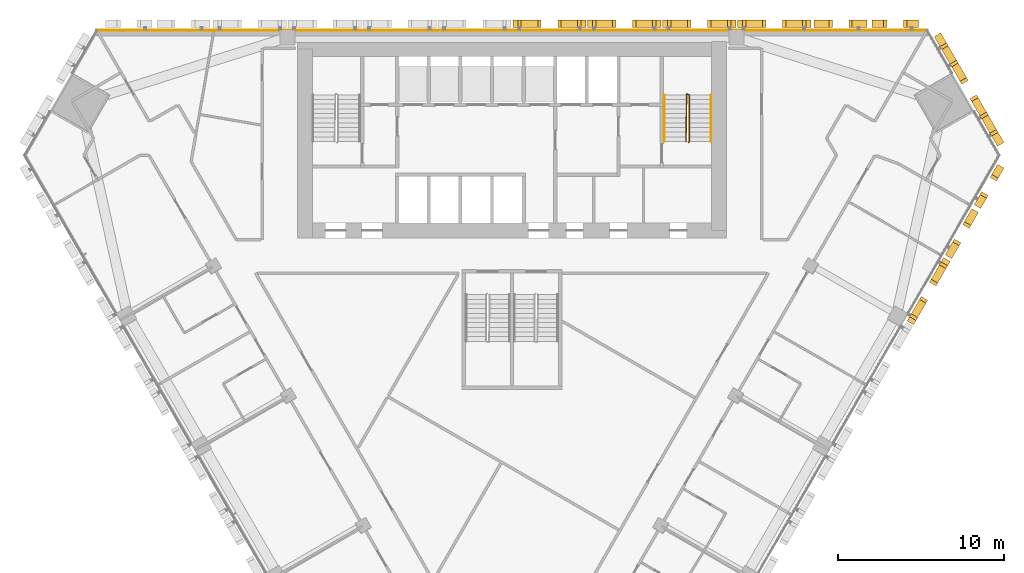
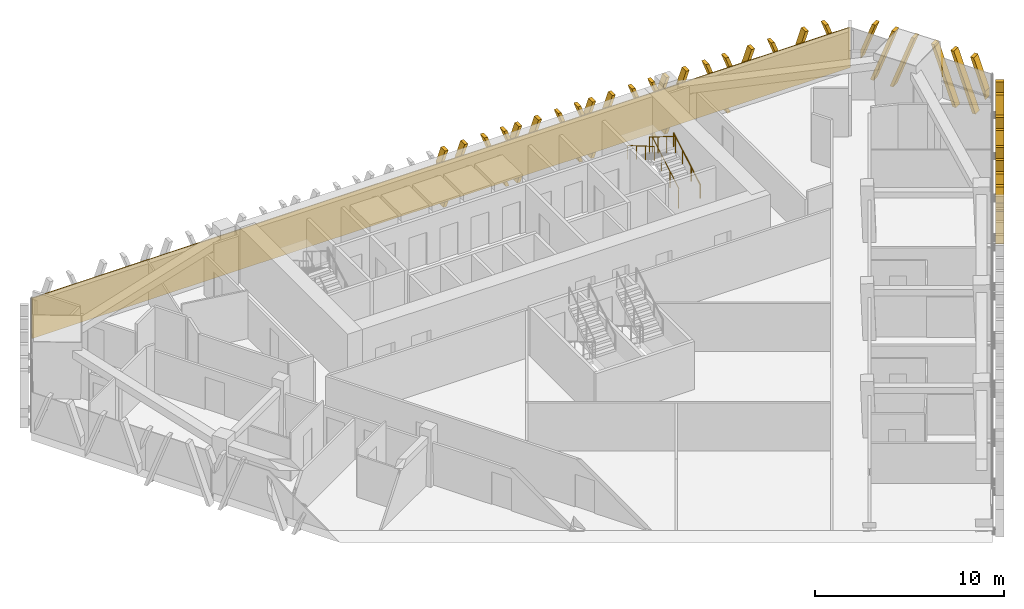
# One storey, part 15 of 16: 10 shading devices, 3 railings, 1 covering.
"""IFC4 building model written with IfcOpenShell, lengths in metres."""

from ifc_helpers import new_model, si_unit, direction, frame, frame_2d, origin, origin_2d, place, context, subcontext, project, spatial, polyline, rectangle, circle, outline, extrude, source, transform, mapped, material, layer, layer_set, type_object, element, save


model = new_model("IFC4")

# Units and contexts
model_context = context("Model", 3, precision=1e-05, world=origin(), true_north=direction((0.0, 1.0)))
body_context = subcontext(model_context, "Body", "Model", "MODEL_VIEW")
ifc_project = project(units=[si_unit("LENGTHUNIT", "METRE"), si_unit("AREAUNIT", "SQUARE_METRE"), si_unit("VOLUMEUNIT", "CUBIC_METRE"), si_unit("PLANEANGLEUNIT", "RADIAN"), si_unit("MASSUNIT", "GRAM", prefix="KILO")], contexts=[model_context])

# Site, building, storey
site_placement = place(None, origin())
site = spatial("IfcSite", under=ifc_project, at=site_placement, CompositionType="ELEMENT")
building_placement = place(site_placement, origin())
building = spatial("IfcBuilding", under=site, at=building_placement, Name="Altiplano Prism Tower", CompositionType="ELEMENT")
storey_placement = place(building_placement, frame((0.0, 0.0, 88.199951171875)))
storey = spatial("IfcBuildingStorey", under=building, at=storey_placement, Name="L22", CompositionType="ELEMENT", Elevation=88.199951171875)

# Railings
ifc_material_1 = material(Name="Steel S355", Category="steel")
railing_type_1 = type_object("IfcRailingType", Name="Stair guard 1100", PredefinedType="GUARDRAIL", material=ifc_material_1)
railing_1_placement = place(storey_placement, frame((95.60009765625, 98.25, 0.0)))
element("IfcRailing", 1, at=railing_1_placement, inside=storey, type_object=railing_type_1, Name="L22 ST2 stair guard 1", PredefinedType="GUARDRAIL", context=body_context, shape_type="SweptSolid", body=[
    extrude(circle(Radius=0.02392578125, at=origin_2d()), frame((0.0, 0.0, 1.076171875), z_axis=(0.279546231943, 0.280916556609, 0.91811752648), x_axis=(-0.708833529934, 0.705375805398, 0.0)), (0.0, 0.0, 1.0), 0.17822265625),
    extrude(circle(Radius=0.02392578125, at=origin_2d()), frame((0.0498046875, 0.050048828125, 1.23974609375), z_axis=(0.0, 0.863360870873, 0.504586966384), x_axis=(-1.0, 0.0, 0.0)), (0.0, 0.0, 1.0), 3.2431640625),
    extrude(circle(Radius=0.02392578125, at=origin_2d()), frame((0.0498046875, 2.85009765625, 2.8759765625), z_axis=(-0.948991962702, 0.315300261223, 0.0), x_axis=(-0.315300261223, -0.948991962702, 0.0)), (0.0, 0.0, 1.0), 0.157958984375),
    extrude(circle(Radius=0.02392578125, at=origin_2d()), frame((-0.10009765625, 2.89990234375, 2.8759765625), z_axis=(-0.014846418356, -0.845376787675, 0.533964109957), x_axis=(0.999845825584, -0.017559187376, 0.0)), (0.0, 0.0, 1.0), 3.37109375),
    extrude(circle(Radius=0.02099609375, at=origin_2d()), origin(), (0.0, 0.0, 1.0), 1.052001953125),
    extrude(circle(Radius=0.02099609375, at=origin_2d()), frame((0.0498046875, 0.050048828125, 0.16357421875)), (0.0, 0.0, 1.0), 1.052001953125),
    extrude(circle(Radius=0.02099609375, at=origin_2d()), frame((0.0498046875, 0.9833984375, 0.708984375)), (0.0, 0.0, 1.0), 1.052001953125),
    extrude(circle(Radius=0.02099609375, at=origin_2d()), frame((0.0498046875, 1.916748046875, 1.254638671875)), (0.0, 0.0, 1.0), 1.052001953125),
    extrude(circle(Radius=0.02099609375, at=origin_2d()), frame((0.0498046875, 2.85009765625, 1.800048828125)), (0.0, 0.0, 1.0), 1.052001953125),
    extrude(circle(Radius=0.02099609375, at=origin_2d()), frame((-0.10009765625, 2.89990234375, 1.800048828125)), (0.0, 0.0, 1.0), 1.052001953125),
    extrude(circle(Radius=0.02099609375, at=origin_2d()), frame((-0.11669921875, 1.949951171875, 2.400146484375)), (0.0, 0.0, 1.0), 1.052001953125),
    extrude(circle(Radius=0.02099609375, at=origin_2d()), frame((-0.133544921875, 1.0, 3.0)), (0.0, 0.0, 1.0), 1.052001953125),
    extrude(circle(Radius=0.02099609375, at=origin_2d()), frame((-0.150146484375, 0.050048828125, 3.60009765625)), (0.0, 0.0, 1.0), 1.052001953125),
])
railing_type_2 = type_object("IfcRailingType", Name="Stair handrail 900", PredefinedType="HANDRAIL", material=ifc_material_1)
railing_2_placement = place(storey_placement, frame((96.949951171875, 98.300048828125, 0.16357421875)))
element("IfcRailing", 2, at=railing_2_placement, inside=storey, type_object=railing_type_2, Name="L22 ST2 stair handrail 1", PredefinedType="HANDRAIL", context=body_context, shape_type="SweptSolid", body=[
    extrude(circle(Radius=0.02392578125, at=origin_2d()), frame((0.0, 0.0, 0.8759765625), z_axis=(0.0, 0.863360870873, 0.504586966384), x_axis=(-1.0, 0.0, 0.0)), (0.0, 0.0, 1.0), 3.2431640625),
    extrude(circle(Radius=0.02099609375, at=origin_2d()), origin(), (0.0, 0.0, 1.0), 0.851806640625),
    extrude(circle(Radius=0.02099609375, at=origin_2d()), frame((0.0, 0.933349609375, 0.54541015625)), (0.0, 0.0, 1.0), 0.851806640625),
    extrude(circle(Radius=0.02099609375, at=origin_2d()), frame((0.0, 1.86669921875, 1.091064453125)), (0.0, 0.0, 1.0), 0.851806640625),
    extrude(circle(Radius=0.02099609375, at=origin_2d()), frame((0.0, 2.800048828125, 1.636474609375)), (0.0, 0.0, 1.0), 0.851806640625),
])
railing_3_placement = place(storey_placement, frame((94.14990234375, 101.10009765625, 1.963623046875)))
element("IfcRailing", 3, at=railing_3_placement, inside=storey, type_object=railing_type_2, Name="L22 ST2 stair handrail 2", PredefinedType="HANDRAIL", context=body_context, shape_type="SweptSolid", body=[
    extrude(circle(Radius=0.02392578125, at=origin_2d()), frame((0.0, 0.0, 0.8759765625), z_axis=(0.0, -0.863360870873, 0.504586966384), x_axis=(1.0, 0.0, 0.0)), (0.0, 0.0, 1.0), 3.2431640625),
    extrude(circle(Radius=0.02099609375, at=origin_2d()), origin(), (0.0, 0.0, 1.0), 0.851806640625),
    extrude(circle(Radius=0.02099609375, at=origin_2d()), frame((0.0, -0.933349609375, 0.54541015625)), (0.0, 0.0, 1.0), 0.851806640625),
    extrude(circle(Radius=0.02099609375, at=origin_2d()), frame((0.0, -1.86669921875, 1.091064453125)), (0.0, 0.0, 1.0), 0.851806640625),
    extrude(circle(Radius=0.02099609375, at=origin_2d()), frame((0.0, -2.800048828125, 1.636474609375)), (0.0, 0.0, 1.0), 0.851806640625),
])

# Covering
ifc_material_2 = material(Name="Warm limestone cast stone", Category="masonry")
ifc_layer = layer(ifc_material_2, 0.06005859375)
ifc_layer_set = layer_set([ifc_layer], Name="Warm limestone cast stone")
covering_type = type_object("IfcCoveringType", Name="Stone cladding 60", PredefinedType="CLADDING", material=ifc_layer_set)
covering_placement = place(storey_placement, frame((60.0380859375, 104.969970703125, 0.0), z_axis=(0.0, 0.0, 1.0), x_axis=(1.0, 0.0, 0.0)))
element("IfcCovering", 4, at=covering_placement, inside=storey, type_object=covering_type, Name="Stone cladding north face L22", PredefinedType="CLADDING", context=body_context, shape_type="SweptSolid", body=[
    extrude(rectangle(XDim=49.923828125, YDim=0.06005859375, at=frame_2d((24.9619140625, 0.0))), origin(), (0.0, 0.0, 1.0), 2.60009765625),
])

# Shading devices
shading_device_type_1 = type_object("IfcShadingDeviceType", Name="Stone fin panel, narrow closing bay", PredefinedType="USERDEFINED", material=ifc_material_2)
shared_shape_1 = source(origin(), body_context, "Body", "SweptSolid", [
    extrude(outline(polyline([(-1.60009765625, 0.577880859375), (-0.5, 3.60009765625), (-0.699951171875, 3.60009765625), (-1.60009765625, 1.127197265625), (-1.60009765625, 0.577880859375)])), frame((0.0, -0.14990234375, 0.0), z_axis=(0.0, -1.0, 0.0), x_axis=(1.0, 0.0, 0.0)), (0.0, 0.0, 1.0), 0.4501953125),
    extrude(outline(polyline([(1.60009765625, 1.127197265625), (0.699951171875, 3.60009765625), (0.5, 3.60009765625), (1.60009765625, 0.577880859375), (1.60009765625, 1.127197265625)])), frame((0.0, -0.14990234375, 0.0), z_axis=(0.0, -1.0, 0.0), x_axis=(1.0, 0.0, 0.0)), (0.0, 0.0, 1.0), 0.4501953125),
])
shading_device_1_placement = place(storey_placement, origin())
element("IfcShadingDevice", 5, at=shading_device_1_placement, inside=storey, type_object=shading_device_type_1, Name="Fin L22 north face 2", ObjectType="FIN", PredefinedType="USERDEFINED", context=body_context, shape_type="MappedRepresentation", body=[
    mapped(shared_shape_1, transform((104.740478515625, 105.0, -0.5), x_axis=(-1.0, 0.0, 0.0), y_axis=(0.0, -1.0, 0.0), z_axis=(0.0, 0.0, 1.0))),
])
shading_device_2_placement = place(storey_placement, origin())
element("IfcShadingDevice", 6, at=shading_device_2_placement, inside=storey, type_object=shading_device_type_1, Name="Fin L22 south-east face 11", ObjectType="FIN", PredefinedType="USERDEFINED", context=body_context, shape_type="MappedRepresentation", body=[
    mapped(shared_shape_1, transform((111.697021484375, 92.950927734375, -0.5), x_axis=(0.500000010005, 0.866025398008, 0.0), y_axis=(-0.866025398008, 0.500000010005, 0.0), z_axis=(0.0, 0.0, 1.0))),
])
shading_device_type_2 = type_object("IfcShadingDeviceType", Name="Stone fin panel, standard unit", PredefinedType="USERDEFINED", material=ifc_material_2)
shared_shape_2 = source(origin(), body_context, "Body", "SweptSolid", [
    extrude(outline(polyline([(-2.199951171875, 2.226318359375), (-1.699951171875, 3.60009765625), (-1.89990234375, 3.60009765625), (-2.199951171875, 2.77587890625), (-2.199951171875, 2.226318359375)])), frame((0.0, -0.14990234375, 0.0), z_axis=(0.0, -1.0, 0.0), x_axis=(1.0, 0.0, 0.0)), (0.0, 0.0, 1.0), 0.4501953125),
    extrude(outline(polyline([(-2.01025390625, 0.0), (-1.810302734375, 0.0), (-0.5, 3.60009765625), (-0.699951171875, 3.60009765625), (-2.01025390625, 0.0)])), frame((0.0, -0.14990234375, 0.0), z_axis=(0.0, -1.0, 0.0), x_axis=(1.0, 0.0, 0.0)), (0.0, 0.0, 1.0), 0.4501953125),
    extrude(outline(polyline([(1.810302734375, 0.0), (2.01025390625, 0.0), (0.699951171875, 3.60009765625), (0.5, 3.60009765625), (1.810302734375, 0.0)])), frame((0.0, -0.14990234375, 0.0), z_axis=(0.0, -1.0, 0.0), x_axis=(1.0, 0.0, 0.0)), (0.0, 0.0, 1.0), 0.4501953125),
    extrude(outline(polyline([(2.199951171875, 2.77587890625), (1.89990234375, 3.60009765625), (1.699951171875, 3.60009765625), (2.199951171875, 2.226318359375), (2.199951171875, 2.77587890625)])), frame((0.0, -0.14990234375, 0.0), z_axis=(0.0, -1.0, 0.0), x_axis=(1.0, 0.0, 0.0)), (0.0, 0.0, 1.0), 0.4501953125),
])
shading_device_3_placement = place(storey_placement, origin())
element("IfcShadingDevice", 7, at=shading_device_3_placement, inside=storey, type_object=shading_device_type_2, Name="Fin L22 north face 3", ObjectType="FIN", PredefinedType="USERDEFINED", context=body_context, shape_type="MappedRepresentation", body=[
    mapped(shared_shape_2, transform((100.75, 105.0, -0.5), x_axis=(-1.0, 0.0, 0.0), y_axis=(0.0, -1.0, 0.0), z_axis=(0.0, 0.0, 1.0))),
])
shading_device_4_placement = place(storey_placement, origin())
element("IfcShadingDevice", 8, at=shading_device_4_placement, inside=storey, type_object=shading_device_type_2, Name="Fin L22 north face 4", ObjectType="FIN", PredefinedType="USERDEFINED", context=body_context, shape_type="MappedRepresentation", body=[
    mapped(shared_shape_2, transform((96.25, 105.0, -0.5), x_axis=(-1.0, 0.0, 0.0), y_axis=(0.0, -1.0, 0.0), z_axis=(0.0, 0.0, 1.0))),
])
shading_device_5_placement = place(storey_placement, origin())
element("IfcShadingDevice", 9, at=shading_device_5_placement, inside=storey, type_object=shading_device_type_2, Name="Fin L22 north face 5", ObjectType="FIN", PredefinedType="USERDEFINED", context=body_context, shape_type="MappedRepresentation", body=[
    mapped(shared_shape_2, transform((91.75, 105.0, -0.5), x_axis=(-1.0, 0.0, 0.0), y_axis=(0.0, -1.0, 0.0), z_axis=(0.0, 0.0, 1.0))),
])
shading_device_6_placement = place(storey_placement, origin())
element("IfcShadingDevice", 10, at=shading_device_6_placement, inside=storey, type_object=shading_device_type_2, Name="Fin L22 north face 6", ObjectType="FIN", PredefinedType="USERDEFINED", context=body_context, shape_type="MappedRepresentation", body=[
    mapped(shared_shape_2, transform((87.25, 105.0, -0.5), x_axis=(-1.0, 0.0, 0.0), y_axis=(0.0, -1.0, 0.0), z_axis=(0.0, 0.0, 1.0))),
])
shading_device_7_placement = place(storey_placement, origin())
element("IfcShadingDevice", 11, at=shading_device_7_placement, inside=storey, type_object=shading_device_type_2, Name="Fin L22 south-east face 10", ObjectType="FIN", PredefinedType="USERDEFINED", context=body_context, shape_type="MappedRepresentation", body=[
    mapped(shared_shape_2, transform((109.70166015625, 89.4951171875, -0.5), x_axis=(0.500000010005, 0.866025398008, 0.0), y_axis=(-0.866025398008, 0.500000010005, 0.0), z_axis=(0.0, 0.0, 1.0))),
])
shared_shape_3 = source(origin(), body_context, "Body", "SweptSolid", [
    extrude(outline(polyline([(-1.39990234375, 1.127197265625), (-0.5, 3.60009765625), (-0.699951171875, 3.60009765625), (-1.39990234375, 1.6767578125), (-1.39990234375, 1.127197265625)])), frame((0.0, -0.14990234375, 0.0), z_axis=(0.0, -1.0, 0.0), x_axis=(1.0, 0.0, 0.0)), (0.0, 0.0, 1.0), 0.4501953125),
    extrude(outline(polyline([(1.39990234375, 1.6767578125), (0.699951171875, 3.60009765625), (0.5, 3.60009765625), (1.39990234375, 1.127197265625), (1.39990234375, 1.6767578125)])), frame((0.0, -0.14990234375, 0.0), z_axis=(0.0, -1.0, 0.0), x_axis=(1.0, 0.0, 0.0)), (0.0, 0.0, 1.0), 0.4501953125),
])
shading_device_8_placement = place(storey_placement, origin())
element("IfcShadingDevice", 12, at=shading_device_8_placement, inside=storey, type_object=shading_device_type_1, Name="Fin L22 north face 1", ObjectType="FIN", PredefinedType="USERDEFINED", context=body_context, shape_type="MappedRepresentation", body=[
    mapped(shared_shape_3, transform((108.021484375, 105.0, -0.5), x_axis=(-1.0, 0.0, 0.0), y_axis=(0.0, -1.0, 0.0), z_axis=(0.0, 0.0, 1.0))),
])
shading_device_9_placement = place(storey_placement, origin())
element("IfcShadingDevice", 13, at=shading_device_9_placement, inside=storey, type_object=shading_device_type_1, Name="Fin L22 south-east face 12", ObjectType="FIN", PredefinedType="USERDEFINED", context=body_context, shape_type="MappedRepresentation", body=[
    mapped(shared_shape_3, transform((113.33740234375, 95.79248046875, -0.5), x_axis=(0.500000010005, 0.866025398008, 0.0), y_axis=(-0.866025398008, 0.500000010005, 0.0), z_axis=(0.0, 0.0, 1.0))),
])
shading_device_type_3 = type_object("IfcShadingDeviceType", Name="Stone fin panel, chamfer unit", PredefinedType="USERDEFINED", material=ifc_material_2)
shared_shape_4 = source(origin(), body_context, "Body", "SweptSolid", [
    extrude(outline(polyline([(-3.800048828125, 1.127197265625), (-2.89990234375, 3.60009765625), (-3.10009765625, 3.60009765625), (-3.800048828125, 1.6767578125), (-3.800048828125, 1.127197265625)])), frame((0.0, -0.14990234375, 0.0), z_axis=(0.0, -1.0, 0.0), x_axis=(1.0, 0.0, 0.0)), (0.0, 0.0, 1.0), 0.4501953125),
    extrude(outline(polyline([(-3.210205078125, 0.0), (-3.01025390625, 0.0), (-1.699951171875, 3.60009765625), (-1.89990234375, 3.60009765625), (-3.210205078125, 0.0)])), frame((0.0, -0.14990234375, 0.0), z_axis=(0.0, -1.0, 0.0), x_axis=(1.0, 0.0, 0.0)), (0.0, 0.0, 1.0), 0.4501953125),
    extrude(outline(polyline([(-2.01025390625, 0.0), (-1.810302734375, 0.0), (-0.5, 3.60009765625), (-0.699951171875, 3.60009765625), (-2.01025390625, 0.0)])), frame((0.0, -0.14990234375, 0.0), z_axis=(0.0, -1.0, 0.0), x_axis=(1.0, 0.0, 0.0)), (0.0, 0.0, 1.0), 0.4501953125),
    extrude(outline(polyline([(1.810302734375, 0.0), (2.01025390625, 0.0), (0.699951171875, 3.60009765625), (0.5, 3.60009765625), (1.810302734375, 0.0)])), frame((0.0, -0.14990234375, 0.0), z_axis=(0.0, -1.0, 0.0), x_axis=(1.0, 0.0, 0.0)), (0.0, 0.0, 1.0), 0.4501953125),
    extrude(outline(polyline([(3.01025390625, 0.0), (3.210205078125, 0.0), (1.89990234375, 3.60009765625), (1.699951171875, 3.60009765625), (3.01025390625, 0.0)])), frame((0.0, -0.14990234375, 0.0), z_axis=(0.0, -1.0, 0.0), x_axis=(1.0, 0.0, 0.0)), (0.0, 0.0, 1.0), 0.4501953125),
    extrude(outline(polyline([(3.800048828125, 1.6767578125), (3.10009765625, 3.60009765625), (2.89990234375, 3.60009765625), (3.800048828125, 1.127197265625), (3.800048828125, 1.6767578125)])), frame((0.0, -0.14990234375, 0.0), z_axis=(0.0, -1.0, 0.0), x_axis=(1.0, 0.0, 0.0)), (0.0, 0.0, 1.0), 0.4501953125),
])
shading_device_10_placement = place(storey_placement, origin())
element("IfcShadingDevice", 14, at=shading_device_10_placement, inside=storey, type_object=shading_device_type_3, Name="Fin L22 north-east chamfer 1", ObjectType="FIN", PredefinedType="USERDEFINED", context=body_context, shape_type="MappedRepresentation", body=[
    mapped(shared_shape_4, transform((112.134765625, 101.236572265625, -0.5), x_axis=(-0.500000022786, 0.866025390629, 0.0), y_axis=(-0.866025390629, -0.500000022786, 0.0), z_axis=(0.0, 0.0, 1.0))),
])

save(model, "model.ifc")
